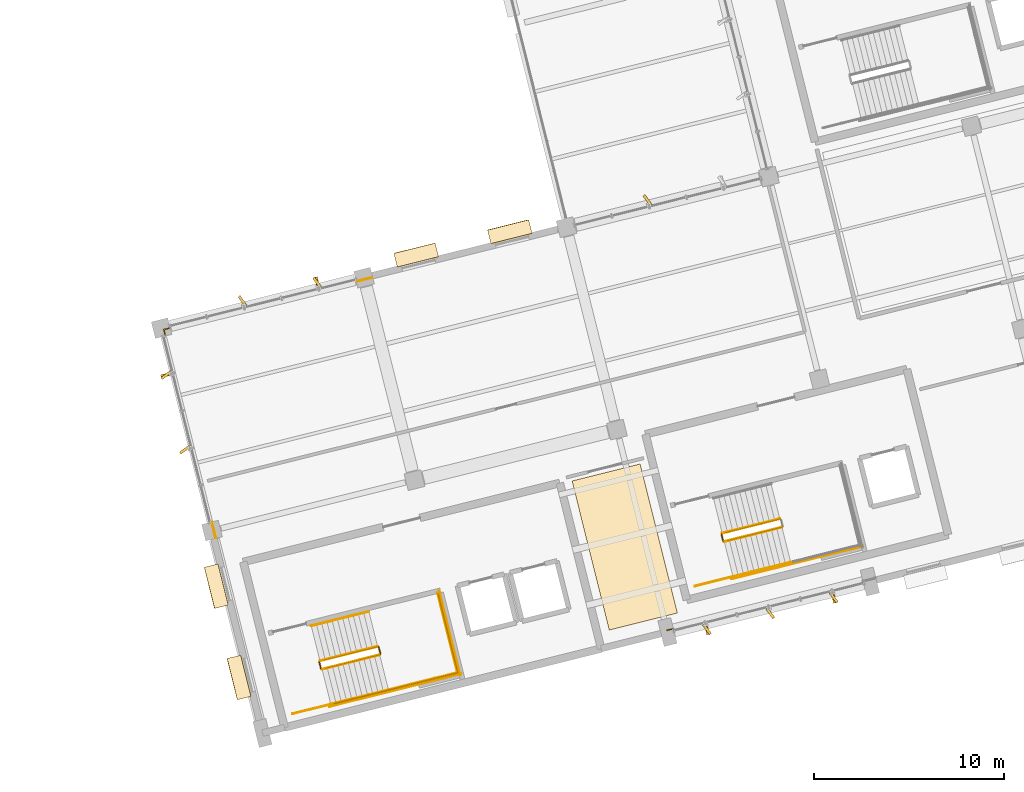
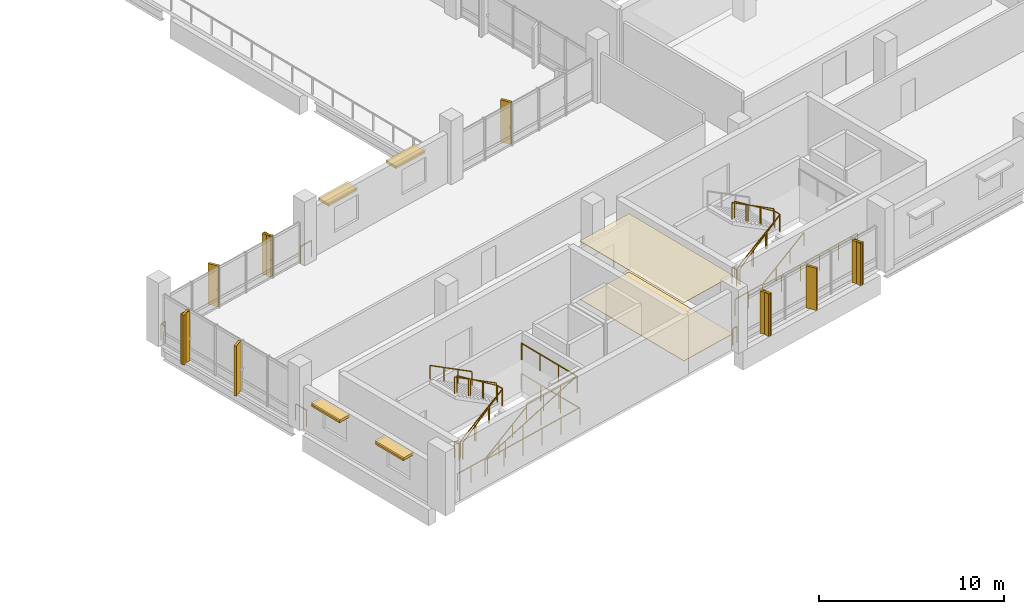
# One storey, part 39 of 42: 24 railings, 12 shading devices, 10 coverings.
"""IFC4 building model written with IfcOpenShell, lengths in metres."""

from ifc_helpers import new_model, si_unit, direction, frame, origin, origin_2d, place, context, subcontext, project, spatial, polyline, rectangle, outline, extrude, material, layer, layer_set, type_object, element, save


model = new_model("IFC4")

# Units and contexts
model_context = context("Model", 3, precision=1e-05, world=origin(), true_north=direction((0.0, 1.0)))
body_context = subcontext(model_context, "Body", "Model", "MODEL_VIEW")
ifc_project = project(units=[si_unit("LENGTHUNIT", "METRE"), si_unit("AREAUNIT", "SQUARE_METRE"), si_unit("VOLUMEUNIT", "CUBIC_METRE"), si_unit("PLANEANGLEUNIT", "RADIAN"), si_unit("MASSUNIT", "GRAM", prefix="KILO")], contexts=[model_context])

# Site, building, storey
site_placement = place(None, origin())
site = spatial("IfcSite", under=ifc_project, at=site_placement, CompositionType="ELEMENT")
building_placement = place(site_placement, origin())
building = spatial("IfcBuilding", under=site, at=building_placement, Name="Khorjan Park Terminus", CompositionType="ELEMENT")
storey_placement = place(building_placement, frame((0.0, 0.0, 20.4)))
storey = spatial("IfcBuildingStorey", under=building, at=storey_placement, Name="L04", CompositionType="ELEMENT", Elevation=20.4)

# Coverings
ifc_material_1 = material(Name="Perforated Acoustic Aluminium Baffle Ceiling", Category="aluminium")
ifc_layer_1 = layer(ifc_material_1, 0.03)
ifc_layer_set_1 = layer_set([ifc_layer_1], Name="Perforated Acoustic Aluminium Baffle Ceiling")
covering_type_1 = type_object("IfcCoveringType", Name="CV-CLG-ACS", PredefinedType="CEILING", material=ifc_layer_set_1)
covering_1_placement = place(storey_placement, frame((0.0, 0.0, 3.845)))
element("IfcCovering", 1, at=covering_1_placement, inside=storey, type_object=covering_type_1, Name="Flush acoustic baffle ceiling AC-60 (L04-BRK)", PredefinedType="CEILING", context=body_context, shape_type="SweptSolid", body=[
    extrude(outline(polyline([(198.5418, 10.9896), (194.9518, 10.0945), (192.9922, 17.9539), (196.5823, 18.849), (198.5418, 10.9896)])), origin(), (0.0, 0.0, 1.0), 0.03),
])
ifc_material_2 = material(Name="Pigmented Precast GRC", Category="concrete")
ifc_layer_2 = layer(ifc_material_2, 0.16)
ifc_layer_set_2 = layer_set([ifc_layer_2], Name="Pigmented Precast GRC")
covering_type_2 = type_object("IfcCoveringType", Name="CV-FIN-GRC", PredefinedType="CLADDING", material=ifc_layer_set_2)
for number, where, z_axis, x_axis, name in (
    (2, (200.0981, 10.1357, -0.02), (0.0, 0.0, 1.0), (-0.2419218956, 0.970295726276, 0.0), "Projecting desert-sandstone GRC facade fin CL-FN1 (CW-V5-S-L04-B03-1)"),
    (3, (206.7867, 11.8034, -0.02), (0.0, 0.0, 1.0), (-0.2419218956, 0.970295726276, 0.0), "Projecting desert-sandstone GRC facade fin CL-FN1 (CW-V5-S-L04-B03-5)"),
):
    element("IfcCovering", number, at=place(storey_placement, frame(where, z_axis=z_axis, x_axis=x_axis)), inside=storey, type_object=covering_type_2, Name=name, PredefinedType="CLADDING", context=body_context, shape_type="SweptSolid", body=[
        extrude(rectangle(XDim=0.58, YDim=0.16, at=origin_2d()), origin(), (0.0, 0.0, 1.0), 2.785),
    ])
covering_2_placement = place(storey_placement, frame((179.5532, 28.4186, -0.02), z_axis=(0.0, 0.0, 1.0), x_axis=(0.2419218956, -0.970295726276, 0.0)))
element("IfcCovering", 4, at=covering_2_placement, inside=storey, type_object=covering_type_2, Name="Projecting desert-sandstone GRC facade fin CL-FN1 (CW-V5-NW2-L04-B03-1)", PredefinedType="CLADDING", context=body_context, shape_type="SweptSolid", body=[
    extrude(rectangle(XDim=0.58, YDim=0.16, at=origin_2d()), origin(), (0.0, 0.0, 1.0), 2.69),
])
covering_3_placement = place(storey_placement, frame((171.6011, 23.5369, -0.02), z_axis=(0.0, 0.0, 1.0), x_axis=(0.970295726276, 0.2419218956, 0.0)))
element("IfcCovering", 5, at=covering_3_placement, inside=storey, type_object=covering_type_2, Name="Projecting desert-sandstone GRC facade fin CL-FN1 (CW-V5-W-L04-B01-1)", PredefinedType="CLADDING", context=body_context, shape_type="SweptSolid", body=[
    extrude(rectangle(XDim=0.58, YDim=0.16, at=origin_2d()), origin(), (0.0, 0.0, 1.0), 3.295),
])
ifc_material_3 = material(Name="Polished Desert Limestone Terrazzo", Category="masonry")
ifc_layer_3 = layer(ifc_material_3, 0.035)
ifc_layer_set_3 = layer_set([ifc_layer_3], Name="Polished Desert Limestone Terrazzo")
covering_type_3 = type_object("IfcCoveringType", Name="CV-FLR-TRZ", PredefinedType="FLOORING", material=ifc_layer_set_3)
covering_4_placement = place(storey_placement, origin())
element("IfcCovering", 6, at=covering_4_placement, inside=storey, type_object=covering_type_3, Name="Architectural floor finish FF-TRZ (L04-BRK)", PredefinedType="FLOORING", context=body_context, shape_type="SweptSolid", body=[
    extrude(outline(polyline([(198.5418, 10.9896), (194.9518, 10.0945), (192.9922, 17.9539), (196.5823, 18.849), (198.5418, 10.9896)])), origin(), (0.0, 0.0, 1.0), 0.035),
])
ifc_layer_4 = layer(ifc_material_2, 0.18)
ifc_layer_set_4 = layer_set([ifc_layer_4], Name="Pigmented Precast GRC")
covering_type_4 = type_object("IfcCoveringType", Name="CV-HOOD-GRC", PredefinedType="CLADDING", material=ifc_layer_set_4)
for number, where, z_axis, x_axis, name in (
    (7, (189.709, 31.0898, 2.58), (0.0, 0.0, 1.0), (-0.970297894388, -0.24191319961, 0.0), "Projecting desert-sandstone GRC window eyebrow CL-HD1 (EW-V5-NW2-L04-B02-1)"),
    (8, (184.7751, 29.8597, 2.58), (0.0, 0.0, 1.0), (-0.970297894388, -0.24191319961, 0.0), "Projecting desert-sandstone GRC window eyebrow CL-HD1 (EW-V5-NW2-L04-B02-2)"),
    (9, (174.2371, 12.4066, 2.58), (0.0, 0.0, 1.0), (0.241921235022, -0.970295890976, 0.0), "Projecting desert-sandstone GRC window eyebrow CL-HD1 (EW-V5-W-L04-B02-1)"),
    (10, (175.437, 7.5941, 2.58), (0.0, 0.0, 1.0), (0.241921235022, -0.970295890976, 0.0), "Projecting desert-sandstone GRC window eyebrow CL-HD1 (EW-V5-W-L04-B02-2)"),
):
    element("IfcCovering", number, at=place(storey_placement, frame(where, z_axis=z_axis, x_axis=x_axis)), inside=storey, type_object=covering_type_4, Name=name, PredefinedType="CLADDING", context=body_context, shape_type="SweptSolid", body=[
        extrude(rectangle(XDim=2.24, YDim=0.74, at=origin_2d()), origin(), (0.0, 0.0, 1.0), 0.16),
    ])

# Railings
ifc_material_4 = material(Name="Steel S355", Category="steel")
railing_type_1 = type_object("IfcRailingType", Name="GR-112", PredefinedType="GUARDRAIL", material=ifc_material_4)
railing_1_placement = place(storey_placement, frame((179.8138, 8.0206, 0.175)))
element("IfcRailing", 11, at=railing_1_placement, inside=storey, type_object=railing_type_1, Name="L04 ST-03 stair guard 1", PredefinedType="GUARDRAIL", context=body_context, shape_type="SweptSolid", body=[
    extrude(rectangle(XDim=0.048, YDim=0.048, at=origin_2d()), frame((0.0, 0.0, 1.096), z_axis=(0.826848000136, 0.206181934415, 0.523269906063), x_axis=(-0.241950149517, 0.970288681346, 0.0)), (0.0, 0.0, 1.0), 3.6788),
    extrude(rectangle(XDim=0.042, YDim=0.042, at=origin_2d()), origin(), (0.0, 0.0, 1.0), 1.072),
    extrude(rectangle(XDim=0.042, YDim=0.042, at=origin_2d()), frame((1.0139, 0.2528, 0.6417)), (0.0, 0.0, 1.0), 1.072),
    extrude(rectangle(XDim=0.042, YDim=0.042, at=origin_2d()), frame((2.0279, 0.5057, 1.2833)), (0.0, 0.0, 1.0), 1.072),
    extrude(rectangle(XDim=0.042, YDim=0.042, at=origin_2d()), frame((3.0418, 0.7585, 1.925)), (0.0, 0.0, 1.0), 1.072),
])
railing_2_placement = place(storey_placement, frame((182.8921, 8.8397, 2.1)))
element("IfcRailing", 12, at=railing_2_placement, inside=storey, type_object=railing_type_1, Name="L04 ST-03 stair guard 2", PredefinedType="GUARDRAIL", context=body_context, shape_type="SweptSolid", body=[
    extrude(rectangle(XDim=0.048, YDim=0.048, at=origin_2d()), frame((0.0, 0.0, 1.096), z_axis=(-0.241947338122, 0.970289382388, 0.0), x_axis=(-0.970289382388, -0.241947338122, 0.0)), (0.0, 0.0, 1.0), 0.36),
    extrude(rectangle(XDim=0.042, YDim=0.042, at=origin_2d()), origin(), (0.0, 0.0, 1.0), 1.072),
    extrude(rectangle(XDim=0.042, YDim=0.042, at=origin_2d()), frame((-0.0871, 0.3493, 0.0)), (0.0, 0.0, 1.0), 1.072),
])
railing_3_placement = place(storey_placement, frame((183.3153, 6.9355, 2.1)))
element("IfcRailing", 13, at=railing_3_placement, inside=storey, type_object=railing_type_1, Name="L04 ST-03 stair guard 3", PredefinedType="GUARDRAIL", context=body_context, shape_type="SweptSolid", body=[
    extrude(rectangle(XDim=0.048, YDim=0.048, at=origin_2d()), frame((0.0, 0.0, 1.096), z_axis=(0.970296897562, 0.241917197781, 0.0), x_axis=(-0.241917197781, 0.970296897562, 0.0)), (0.0, 0.0, 1.0), 3.805),
    extrude(rectangle(XDim=0.042, YDim=0.042, at=origin_2d()), origin(), (0.0, 0.0, 1.0), 1.072),
    extrude(rectangle(XDim=0.042, YDim=0.042, at=origin_2d()), frame((1.2307, 0.3068, 0.0)), (0.0, 0.0, 1.0), 1.072),
    extrude(rectangle(XDim=0.042, YDim=0.042, at=origin_2d()), frame((2.4613, 0.6137, 0.0)), (0.0, 0.0, 1.0), 1.072),
    extrude(rectangle(XDim=0.042, YDim=0.042, at=origin_2d()), frame((3.692, 0.9205, 0.0)), (0.0, 0.0, 1.0), 1.072),
])
railing_4_placement = place(storey_placement, frame((186.9708, 7.7954, 2.1)))
element("IfcRailing", 14, at=railing_4_placement, inside=storey, type_object=railing_type_1, Name="L04 ST-03 stair guard 4", PredefinedType="GUARDRAIL", context=body_context, shape_type="SweptSolid", body=[
    extrude(rectangle(XDim=0.048, YDim=0.048, at=origin_2d()), frame((0.0, 0.0, 1.096), z_axis=(-0.241904163851, 0.970300147125, 0.0), x_axis=(-0.970300147125, -0.241904163851, 0.0)), (0.0, 0.0, 1.0), 4.36),
    extrude(rectangle(XDim=0.042, YDim=0.042, at=origin_2d()), origin(), (0.0, 0.0, 1.0), 1.072),
    extrude(rectangle(XDim=0.042, YDim=0.042, at=origin_2d()), frame((-0.3516, 1.4102, 0.0)), (0.0, 0.0, 1.0), 1.072),
    extrude(rectangle(XDim=0.042, YDim=0.042, at=origin_2d()), frame((-0.7031, 2.8203, 0.0)), (0.0, 0.0, 1.0), 1.072),
    extrude(rectangle(XDim=0.042, YDim=0.042, at=origin_2d()), frame((-1.0547, 4.2305, 0.0)), (0.0, 0.0, 1.0), 1.072),
])
railing_5_placement = place(storey_placement, frame((182.7444, 9.2254, 2.275)))
element("IfcRailing", 15, at=railing_5_placement, inside=storey, type_object=railing_type_1, Name="L04 ST-03 stair guard 5", PredefinedType="GUARDRAIL", context=body_context, shape_type="SweptSolid", body=[
    extrude(rectangle(XDim=0.048, YDim=0.048, at=origin_2d()), frame((0.0, 0.0, 1.096), z_axis=(-0.826861232128, -0.206151273364, 0.523261077565), x_axis=(0.241912630498, -0.970298036278, 0.0)), (0.0, 0.0, 1.0), 3.6789),
    extrude(rectangle(XDim=0.042, YDim=0.042, at=origin_2d()), origin(), (0.0, 0.0, 1.0), 1.072),
    extrude(rectangle(XDim=0.042, YDim=0.042, at=origin_2d()), frame((-1.014, -0.2528, 0.6417)), (0.0, 0.0, 1.0), 1.072),
    extrude(rectangle(XDim=0.042, YDim=0.042, at=origin_2d()), frame((-2.0279, -0.5056, 1.2833)), (0.0, 0.0, 1.0), 1.072),
    extrude(rectangle(XDim=0.042, YDim=0.042, at=origin_2d()), frame((-3.0419, -0.7584, 1.925)), (0.0, 0.0, 1.0), 1.072),
])
railing_6_placement = place(storey_placement, frame((179.7532, 8.0571, 0.0)))
element("IfcRailing", 16, at=railing_6_placement, inside=storey, type_object=railing_type_1, Name="L04 ST-03 stair guard 6", PredefinedType="GUARDRAIL", context=body_context, shape_type="SweptSolid", body=[
    extrude(rectangle(XDim=0.048, YDim=0.048, at=origin_2d()), frame((0.0, 0.0, 1.096), z_axis=(-0.241947338122, 0.970289382388, 0.0), x_axis=(-0.970289382388, -0.241947338122, 0.0)), (0.0, 0.0, 1.0), 0.36),
    extrude(rectangle(XDim=0.042, YDim=0.042, at=origin_2d()), origin(), (0.0, 0.0, 1.0), 1.072),
    extrude(rectangle(XDim=0.042, YDim=0.042, at=origin_2d()), frame((-0.0871, 0.3493, 0.0)), (0.0, 0.0, 1.0), 1.072),
])
railing_7_placement = place(storey_placement, frame((178.2746, 5.6787, 0.0)))
element("IfcRailing", 17, at=railing_7_placement, inside=storey, type_object=railing_type_1, Name="L04 ST-03 stair guard 7", PredefinedType="GUARDRAIL", context=body_context, shape_type="SweptSolid", body=[
    extrude(rectangle(XDim=0.048, YDim=0.048, at=origin_2d()), frame((0.0, 0.0, 1.096), z_axis=(0.97029080484, 0.241941633546, 0.0), x_axis=(-0.241941633546, 0.97029080484, 0.0)), (0.0, 0.0, 1.0), 2.06),
    extrude(rectangle(XDim=0.042, YDim=0.042, at=origin_2d()), origin(), (0.0, 0.0, 1.0), 1.072),
    extrude(rectangle(XDim=0.042, YDim=0.042, at=origin_2d()), frame((0.9994, 0.2492, 0.0)), (0.0, 0.0, 1.0), 1.072),
    extrude(rectangle(XDim=0.042, YDim=0.042, at=origin_2d()), frame((1.9988, 0.4984, 0.0)), (0.0, 0.0, 1.0), 1.072),
])
railing_8_placement = place(storey_placement, frame((180.2006, 6.0559, 0.0)))
element("IfcRailing", 18, at=railing_8_placement, inside=storey, type_object=railing_type_1, Name="L04 ST-03 stair guard 8", PredefinedType="GUARDRAIL", context=body_context, shape_type="SweptSolid", body=[
    extrude(rectangle(XDim=0.048, YDim=0.048, at=origin_2d()), frame((0.0, 0.0, 1.096), z_axis=(0.970296366402, 0.241919328178, 0.0), x_axis=(-0.241919328178, 0.970296366402, 0.0)), (0.0, 0.0, 1.0), 7.14),
    extrude(rectangle(XDim=0.042, YDim=0.042, at=origin_2d()), origin(), (0.0, 0.0, 1.0), 1.072),
    extrude(rectangle(XDim=0.042, YDim=0.042, at=origin_2d()), frame((1.3856, 0.3455, 0.0)), (0.0, 0.0, 1.0), 1.072),
    extrude(rectangle(XDim=0.042, YDim=0.042, at=origin_2d()), frame((2.7712, 0.6909, 0.0)), (0.0, 0.0, 1.0), 1.072),
    extrude(rectangle(XDim=0.042, YDim=0.042, at=origin_2d()), frame((4.1567, 1.0364, 0.0)), (0.0, 0.0, 1.0), 1.072),
    extrude(rectangle(XDim=0.042, YDim=0.042, at=origin_2d()), frame((5.5423, 1.3818, 0.0)), (0.0, 0.0, 1.0), 1.072),
    extrude(rectangle(XDim=0.042, YDim=0.042, at=origin_2d()), frame((6.9279, 1.7273, 0.0)), (0.0, 0.0, 1.0), 1.072),
])
railing_9_placement = place(storey_placement, frame((187.0921, 7.7226, 0.0)))
element("IfcRailing", 19, at=railing_9_placement, inside=storey, type_object=railing_type_1, Name="L04 ST-03 stair guard 9", PredefinedType="GUARDRAIL", context=body_context, shape_type="SweptSolid", body=[
    extrude(rectangle(XDim=0.048, YDim=0.048, at=origin_2d()), frame((0.0, 0.0, 1.096), z_axis=(-0.24193185783, 0.970293242359, 0.0), x_axis=(-0.970293242359, -0.24193185783, 0.0)), (0.0, 0.0, 1.0), 4.56),
    extrude(rectangle(XDim=0.042, YDim=0.042, at=origin_2d()), origin(), (0.0, 0.0, 1.0), 1.072),
    extrude(rectangle(XDim=0.042, YDim=0.042, at=origin_2d()), frame((-0.3677, 1.4748, 0.0)), (0.0, 0.0, 1.0), 1.072),
    extrude(rectangle(XDim=0.042, YDim=0.042, at=origin_2d()), frame((-0.7355, 2.9497, 0.0)), (0.0, 0.0, 1.0), 1.072),
    extrude(rectangle(XDim=0.042, YDim=0.042, at=origin_2d()), frame((-1.1032, 4.4245, 0.0)), (0.0, 0.0, 1.0), 1.072),
])
railing_10_placement = place(storey_placement, frame((179.986, 8.0739, 0.0)))
element("IfcRailing", 20, at=railing_10_placement, inside=storey, type_object=railing_type_1, Name="Core K3 stair well slot guard GR-112 (L04)", PredefinedType="GUARDRAIL", context=body_context, shape_type="SweptSolid", body=[
    extrude(rectangle(XDim=0.048, YDim=0.048, at=origin_2d()), frame((0.0, 0.0, 1.096), z_axis=(0.79445963012, 0.198068135589, 0.57411053794), x_axis=(-0.241907065545, 0.970299423704, 0.0)), (0.0, 0.0, 1.0), 3.6578),
    extrude(rectangle(XDim=0.048, YDim=0.048, at=origin_2d()), frame((2.906, 0.7245, 3.196), z_axis=(-0.241786986316, 0.970329352977, 0.0), x_axis=(-0.970329352977, -0.241786986316, 0.0)), (0.0, 0.0, 1.0), 0.4401),
    extrude(rectangle(XDim=0.048, YDim=0.048, at=origin_2d()), frame((2.7996, 1.1515, 3.196), z_axis=(-0.79446541114, -0.198090099072, 0.574094960047), x_axis=(0.241930662851, -0.970293540313, 0.0)), (0.0, 0.0, 1.0), 3.6579),
    extrude(rectangle(XDim=0.042, YDim=0.042, at=origin_2d()), origin(), (0.0, 0.0, 1.0), 1.072),
    extrude(rectangle(XDim=0.042, YDim=0.042, at=origin_2d()), frame((0.9687, 0.2415, 0.7)), (0.0, 0.0, 1.0), 1.072),
    extrude(rectangle(XDim=0.042, YDim=0.042, at=origin_2d()), frame((1.9373, 0.483, 1.4)), (0.0, 0.0, 1.0), 1.072),
    extrude(rectangle(XDim=0.042, YDim=0.042, at=origin_2d()), frame((2.906, 0.7245, 2.1)), (0.0, 0.0, 1.0), 1.072),
    extrude(rectangle(XDim=0.042, YDim=0.042, at=origin_2d()), frame((2.7996, 1.1515, 2.1)), (0.0, 0.0, 1.0), 1.072),
    extrude(rectangle(XDim=0.042, YDim=0.042, at=origin_2d()), frame((1.8309, 0.91, 2.8)), (0.0, 0.0, 1.0), 1.072),
    extrude(rectangle(XDim=0.042, YDim=0.042, at=origin_2d()), frame((0.8622, 0.6684, 3.5)), (0.0, 0.0, 1.0), 1.072),
    extrude(rectangle(XDim=0.042, YDim=0.042, at=origin_2d()), frame((-0.1065, 0.4269, 4.2)), (0.0, 0.0, 1.0), 1.072),
])
railing_11_placement = place(storey_placement, frame((180.4505, 6.2109, 0.0)))
element("IfcRailing", 21, at=railing_11_placement, inside=storey, type_object=railing_type_1, Name="Core K3 stair side & landing guard GR-112 (L04)", PredefinedType="GUARDRAIL", context=body_context, shape_type="SweptSolid", body=[
    extrude(rectangle(XDim=0.048, YDim=0.048, at=origin_2d()), frame((0.0, 0.0, 1.096), z_axis=(0.926128560381, 0.230907183702, 0.298274642169), x_axis=(-0.241919330403, 0.970296365848, 0.0)), (0.0, 0.0, 1.0), 7.0405),
    extrude(rectangle(XDim=0.048, YDim=0.048, at=origin_2d()), frame((6.5204, 1.6257, 3.196), z_axis=(-0.2419363556, 0.970292120879, 0.0), x_axis=(-0.970292120879, -0.2419363556, 0.0)), (0.0, 0.0, 1.0), 4.2801),
    extrude(rectangle(XDim=0.042, YDim=0.042, at=origin_2d()), origin(), (0.0, 0.0, 1.0), 1.072),
    extrude(rectangle(XDim=0.042, YDim=0.042, at=origin_2d()), frame((1.3041, 0.3251, 0.42)), (0.0, 0.0, 1.0), 1.072),
    extrude(rectangle(XDim=0.042, YDim=0.042, at=origin_2d()), frame((2.6082, 0.6503, 0.84)), (0.0, 0.0, 1.0), 1.072),
    extrude(rectangle(XDim=0.042, YDim=0.042, at=origin_2d()), frame((3.9122, 0.9754, 1.26)), (0.0, 0.0, 1.0), 1.072),
    extrude(rectangle(XDim=0.042, YDim=0.042, at=origin_2d()), frame((5.2163, 1.3006, 1.68)), (0.0, 0.0, 1.0), 1.072),
    extrude(rectangle(XDim=0.042, YDim=0.042, at=origin_2d()), frame((6.5204, 1.6257, 2.1)), (0.0, 0.0, 1.0), 1.072),
    extrude(rectangle(XDim=0.042, YDim=0.042, at=origin_2d()), frame((6.1752, 3.01, 2.1)), (0.0, 0.0, 1.0), 1.072),
    extrude(rectangle(XDim=0.042, YDim=0.042, at=origin_2d()), frame((5.8301, 4.3943, 2.1)), (0.0, 0.0, 1.0), 1.072),
    extrude(rectangle(XDim=0.042, YDim=0.042, at=origin_2d()), frame((5.4849, 5.7786, 2.1)), (0.0, 0.0, 1.0), 1.072),
])
railing_12_placement = place(storey_placement, frame((201.0157, 14.7497, 0.175)))
element("IfcRailing", 22, at=railing_12_placement, inside=storey, type_object=railing_type_1, Name="L04 ST-05 stair guard 1", PredefinedType="GUARDRAIL", context=body_context, shape_type="SweptSolid", body=[
    extrude(rectangle(XDim=0.048, YDim=0.048, at=origin_2d()), frame((0.0, 0.0, 1.096), z_axis=(0.826848000136, 0.206181934415, 0.523269906063), x_axis=(-0.241950149517, 0.970288681346, 0.0)), (0.0, 0.0, 1.0), 3.6788),
    extrude(rectangle(XDim=0.042, YDim=0.042, at=origin_2d()), origin(), (0.0, 0.0, 1.0), 1.072),
    extrude(rectangle(XDim=0.042, YDim=0.042, at=origin_2d()), frame((1.0139, 0.2528, 0.6417)), (0.0, 0.0, 1.0), 1.072),
    extrude(rectangle(XDim=0.042, YDim=0.042, at=origin_2d()), frame((2.0279, 0.5057, 1.2833)), (0.0, 0.0, 1.0), 1.072),
    extrude(rectangle(XDim=0.042, YDim=0.042, at=origin_2d()), frame((3.0418, 0.7585, 1.925)), (0.0, 0.0, 1.0), 1.072),
])
railing_13_placement = place(storey_placement, frame((203.9463, 15.9545, 2.275)))
element("IfcRailing", 23, at=railing_13_placement, inside=storey, type_object=railing_type_1, Name="L04 ST-05 stair guard 5", PredefinedType="GUARDRAIL", context=body_context, shape_type="SweptSolid", body=[
    extrude(rectangle(XDim=0.048, YDim=0.048, at=origin_2d()), frame((0.0, 0.0, 1.096), z_axis=(-0.826861232128, -0.206151273364, 0.523261077565), x_axis=(0.241912630498, -0.970298036278, 0.0)), (0.0, 0.0, 1.0), 3.6789),
    extrude(rectangle(XDim=0.042, YDim=0.042, at=origin_2d()), origin(), (0.0, 0.0, 1.0), 1.072),
    extrude(rectangle(XDim=0.042, YDim=0.042, at=origin_2d()), frame((-1.014, -0.2528, 0.6417)), (0.0, 0.0, 1.0), 1.072),
    extrude(rectangle(XDim=0.042, YDim=0.042, at=origin_2d()), frame((-2.0279, -0.5056, 1.2833)), (0.0, 0.0, 1.0), 1.072),
    extrude(rectangle(XDim=0.042, YDim=0.042, at=origin_2d()), frame((-3.0419, -0.7584, 1.925)), (0.0, 0.0, 1.0), 1.072),
])
railing_14_placement = place(storey_placement, frame((200.9551, 14.7862, 0.0)))
element("IfcRailing", 24, at=railing_14_placement, inside=storey, type_object=railing_type_1, Name="L04 ST-05 stair guard 6", PredefinedType="GUARDRAIL", context=body_context, shape_type="SweptSolid", body=[
    extrude(rectangle(XDim=0.048, YDim=0.048, at=origin_2d()), frame((0.0, 0.0, 1.096), z_axis=(-0.241947338122, 0.970289382388, 0.0), x_axis=(-0.970289382388, -0.241947338122, 0.0)), (0.0, 0.0, 1.0), 0.36),
    extrude(rectangle(XDim=0.042, YDim=0.042, at=origin_2d()), origin(), (0.0, 0.0, 1.0), 1.072),
    extrude(rectangle(XDim=0.042, YDim=0.042, at=origin_2d()), frame((-0.0871, 0.3493, 0.0)), (0.0, 0.0, 1.0), 1.072),
])
railing_15_placement = place(storey_placement, frame((199.4765, 12.4078, 0.0)))
element("IfcRailing", 25, at=railing_15_placement, inside=storey, type_object=railing_type_1, Name="L04 ST-05 stair guard 7", PredefinedType="GUARDRAIL", context=body_context, shape_type="SweptSolid", body=[
    extrude(rectangle(XDim=0.048, YDim=0.048, at=origin_2d()), frame((0.0, 0.0, 1.096), z_axis=(0.97029080484, 0.241941633546, 0.0), x_axis=(-0.241941633546, 0.97029080484, 0.0)), (0.0, 0.0, 1.0), 2.06),
    extrude(rectangle(XDim=0.042, YDim=0.042, at=origin_2d()), origin(), (0.0, 0.0, 1.0), 1.072),
    extrude(rectangle(XDim=0.042, YDim=0.042, at=origin_2d()), frame((0.9994, 0.2492, 0.0)), (0.0, 0.0, 1.0), 1.072),
    extrude(rectangle(XDim=0.042, YDim=0.042, at=origin_2d()), frame((1.9988, 0.4984, 0.0)), (0.0, 0.0, 1.0), 1.072),
])
railing_16_placement = place(storey_placement, frame((201.4025, 12.785, 0.0)))
element("IfcRailing", 26, at=railing_16_placement, inside=storey, type_object=railing_type_1, Name="L04 ST-05 stair guard 8", PredefinedType="GUARDRAIL", context=body_context, shape_type="SweptSolid", body=[
    extrude(rectangle(XDim=0.048, YDim=0.048, at=origin_2d()), frame((0.0, 0.0, 1.096), z_axis=(0.970296366402, 0.241919328178, 0.0), x_axis=(-0.241919328178, 0.970296366402, 0.0)), (0.0, 0.0, 1.0), 7.14),
    extrude(rectangle(XDim=0.042, YDim=0.042, at=origin_2d()), origin(), (0.0, 0.0, 1.0), 1.072),
    extrude(rectangle(XDim=0.042, YDim=0.042, at=origin_2d()), frame((1.3856, 0.3455, 0.0)), (0.0, 0.0, 1.0), 1.072),
    extrude(rectangle(XDim=0.042, YDim=0.042, at=origin_2d()), frame((2.7712, 0.6909, 0.0)), (0.0, 0.0, 1.0), 1.072),
    extrude(rectangle(XDim=0.042, YDim=0.042, at=origin_2d()), frame((4.1567, 1.0364, 0.0)), (0.0, 0.0, 1.0), 1.072),
    extrude(rectangle(XDim=0.042, YDim=0.042, at=origin_2d()), frame((5.5423, 1.3818, 0.0)), (0.0, 0.0, 1.0), 1.072),
    extrude(rectangle(XDim=0.042, YDim=0.042, at=origin_2d()), frame((6.9279, 1.7273, 0.0)), (0.0, 0.0, 1.0), 1.072),
])
railing_17_placement = place(storey_placement, frame((201.1879, 14.803, 0.0)))
element("IfcRailing", 27, at=railing_17_placement, inside=storey, type_object=railing_type_1, Name="Core K5 stair well slot guard GR-112 (L04)", PredefinedType="GUARDRAIL", context=body_context, shape_type="SweptSolid", body=[
    extrude(rectangle(XDim=0.048, YDim=0.048, at=origin_2d()), frame((0.0, 0.0, 1.096), z_axis=(0.79445963012, 0.198068135589, 0.57411053794), x_axis=(-0.241907065545, 0.970299423704, 0.0)), (0.0, 0.0, 1.0), 3.6578),
    extrude(rectangle(XDim=0.048, YDim=0.048, at=origin_2d()), frame((2.906, 0.7245, 3.196), z_axis=(-0.241786986315, 0.970329352977, 0.0), x_axis=(-0.970329352977, -0.241786986315, 0.0)), (0.0, 0.0, 1.0), 0.4401),
    extrude(rectangle(XDim=0.048, YDim=0.048, at=origin_2d()), frame((2.7996, 1.1515, 3.196), z_axis=(-0.79446541114, -0.198090099072, 0.574094960047), x_axis=(0.241930662851, -0.970293540313, 0.0)), (0.0, 0.0, 1.0), 3.6579),
    extrude(rectangle(XDim=0.042, YDim=0.042, at=origin_2d()), origin(), (0.0, 0.0, 1.0), 1.072),
    extrude(rectangle(XDim=0.042, YDim=0.042, at=origin_2d()), frame((0.9687, 0.2415, 0.7)), (0.0, 0.0, 1.0), 1.072),
    extrude(rectangle(XDim=0.042, YDim=0.042, at=origin_2d()), frame((1.9373, 0.483, 1.4)), (0.0, 0.0, 1.0), 1.072),
    extrude(rectangle(XDim=0.042, YDim=0.042, at=origin_2d()), frame((2.906, 0.7245, 2.1)), (0.0, 0.0, 1.0), 1.072),
    extrude(rectangle(XDim=0.042, YDim=0.042, at=origin_2d()), frame((2.7996, 1.1515, 2.1)), (0.0, 0.0, 1.0), 1.072),
    extrude(rectangle(XDim=0.042, YDim=0.042, at=origin_2d()), frame((1.8309, 0.91, 2.8)), (0.0, 0.0, 1.0), 1.072),
    extrude(rectangle(XDim=0.042, YDim=0.042, at=origin_2d()), frame((0.8622, 0.6684, 3.5)), (0.0, 0.0, 1.0), 1.072),
    extrude(rectangle(XDim=0.042, YDim=0.042, at=origin_2d()), frame((-0.1065, 0.4269, 4.2)), (0.0, 0.0, 1.0), 1.072),
])
railing_18_placement = place(storey_placement, frame((171.552, 25.6149, 0.0)))
element("IfcRailing", 28, at=railing_18_placement, inside=storey, type_object=railing_type_1, Name="Perimeter safety guard GR-112 (L04-93)", PredefinedType="GUARDRAIL", context=body_context, shape_type="SweptSolid", body=[
    extrude(rectangle(XDim=0.048, YDim=0.048, at=origin_2d()), frame((0.0, 0.0, 1.096), z_axis=(-0.242036034503, 0.97026726112, 0.0), x_axis=(-0.97026726112, -0.242036034503, 0.0)), (0.0, 0.0, 1.0), 0.3297),
    extrude(rectangle(XDim=0.048, YDim=0.048, at=origin_2d()), frame((-0.0798, 0.3199, 1.096), z_axis=(0.970338207601, 0.241751448537, 0.0), x_axis=(-0.241751448537, 0.970338207601, 0.0)), (0.0, 0.0, 1.0), 0.3301),
    extrude(rectangle(XDim=0.042, YDim=0.042, at=origin_2d()), origin(), (0.0, 0.0, 1.0), 1.072),
    extrude(rectangle(XDim=0.042, YDim=0.042, at=origin_2d()), frame((-0.0798, 0.3199, 0.0)), (0.0, 0.0, 1.0), 1.072),
    extrude(rectangle(XDim=0.042, YDim=0.042, at=origin_2d()), frame((0.2405, 0.3997, 0.0)), (0.0, 0.0, 1.0), 1.072),
])
railing_19_placement = place(storey_placement, frame((174.2096, 14.9556, 0.0)))
element("IfcRailing", 29, at=railing_19_placement, inside=storey, type_object=railing_type_1, Name="Perimeter safety guard GR-112 (L04-94)", PredefinedType="GUARDRAIL", context=body_context, shape_type="SweptSolid", body=[
    extrude(rectangle(XDim=0.048, YDim=0.048, at=origin_2d()), frame((0.0, 0.0, 1.096), z_axis=(-0.24189512234, 0.970302401207, 0.0), x_axis=(-0.970302401207, -0.24189512234, 0.0)), (0.0, 0.0, 1.0), 0.845),
    extrude(rectangle(XDim=0.042, YDim=0.042, at=origin_2d()), origin(), (0.0, 0.0, 1.0), 1.072),
    extrude(rectangle(XDim=0.042, YDim=0.042, at=origin_2d()), frame((-0.2044, 0.8199, 0.0)), (0.0, 0.0, 1.0), 1.072),
])
railing_20_placement = place(storey_placement, frame((181.631, 28.4677, 0.0)))
element("IfcRailing", 30, at=railing_20_placement, inside=storey, type_object=railing_type_1, Name="Perimeter safety guard GR-112 (L04-95)", PredefinedType="GUARDRAIL", context=body_context, shape_type="SweptSolid", body=[
    extrude(rectangle(XDim=0.048, YDim=0.048, at=origin_2d()), frame((0.0, 0.0, 1.096), z_axis=(0.970302401207, 0.24189512234, 0.0), x_axis=(-0.24189512234, 0.970302401207, 0.0)), (0.0, 0.0, 1.0), 0.845),
    extrude(rectangle(XDim=0.042, YDim=0.042, at=origin_2d()), origin(), (0.0, 0.0, 1.0), 1.072),
    extrude(rectangle(XDim=0.042, YDim=0.042, at=origin_2d()), frame((0.8199, 0.2044, 0.0)), (0.0, 0.0, 1.0), 1.072),
])
railing_21_placement = place(storey_placement, frame((198.3159, 10.1603, 0.0)))
element("IfcRailing", 31, at=railing_21_placement, inside=storey, type_object=railing_type_1, Name="Perimeter safety guard GR-112 (L04-97)", PredefinedType="GUARDRAIL", context=body_context, shape_type="SweptSolid", body=[
    extrude(rectangle(XDim=0.048, YDim=0.048, at=origin_2d()), frame((0.0, 0.0, 1.096), z_axis=(-0.970267105456, -0.242036658526, 0.0), x_axis=(0.242036658526, -0.970267105456, 0.0)), (0.0, 0.0, 1.0), 0.3301),
    extrude(rectangle(XDim=0.042, YDim=0.042, at=origin_2d()), origin(), (0.0, 0.0, 1.0), 1.072),
    extrude(rectangle(XDim=0.042, YDim=0.042, at=origin_2d()), frame((-0.3203, -0.0799, 0.0)), (0.0, 0.0, 1.0), 1.072),
])
railing_type_2 = type_object("IfcRailingType", Name="HR-92", PredefinedType="HANDRAIL", material=ifc_material_4)
railing_22_placement = place(storey_placement, frame((180.2734, 6.1771, 0.175)))
element("IfcRailing", 32, at=railing_22_placement, inside=storey, type_object=railing_type_2, Name="L04 ST-03 stair handrail 1", PredefinedType="HANDRAIL", context=body_context, shape_type="SweptSolid", body=[
    extrude(rectangle(XDim=0.048, YDim=0.048, at=origin_2d()), frame((0.0, 0.0, 0.896), z_axis=(0.826861232128, 0.206151273364, 0.523261077565), x_axis=(-0.241912630498, 0.970298036278, 0.0)), (0.0, 0.0, 1.0), 3.6789),
    extrude(rectangle(XDim=0.042, YDim=0.042, at=origin_2d()), origin(), (0.0, 0.0, 1.0), 0.872),
    extrude(rectangle(XDim=0.042, YDim=0.042, at=origin_2d()), frame((1.014, 0.2528, 0.6417)), (0.0, 0.0, 1.0), 0.872),
    extrude(rectangle(XDim=0.042, YDim=0.042, at=origin_2d()), frame((2.0279, 0.5056, 1.2833)), (0.0, 0.0, 1.0), 0.872),
    extrude(rectangle(XDim=0.042, YDim=0.042, at=origin_2d()), frame((3.0419, 0.7584, 1.925)), (0.0, 0.0, 1.0), 0.872),
])
railing_23_placement = place(storey_placement, frame((182.2847, 11.069, 2.275)))
element("IfcRailing", 33, at=railing_23_placement, inside=storey, type_object=railing_type_2, Name="L04 ST-03 stair handrail 2", PredefinedType="HANDRAIL", context=body_context, shape_type="SweptSolid", body=[
    extrude(rectangle(XDim=0.048, YDim=0.048, at=origin_2d()), frame((0.0, 0.0, 0.896), z_axis=(-0.826856598391, -0.206177300332, 0.523258145206), x_axis=(0.241942661201, -0.970290548594, 0.0)), (0.0, 0.0, 1.0), 3.6789),
    extrude(rectangle(XDim=0.042, YDim=0.042, at=origin_2d()), origin(), (0.0, 0.0, 1.0), 0.872),
    extrude(rectangle(XDim=0.042, YDim=0.042, at=origin_2d()), frame((-1.014, -0.2528, 0.6417)), (0.0, 0.0, 1.0), 0.872),
    extrude(rectangle(XDim=0.042, YDim=0.042, at=origin_2d()), frame((-2.0279, -0.5057, 1.2833)), (0.0, 0.0, 1.0), 0.872),
    extrude(rectangle(XDim=0.042, YDim=0.042, at=origin_2d()), frame((-3.0419, -0.7585, 1.925)), (0.0, 0.0, 1.0), 0.872),
])
railing_24_placement = place(storey_placement, frame((201.4753, 12.9062, 0.175)))
element("IfcRailing", 34, at=railing_24_placement, inside=storey, type_object=railing_type_2, Name="L04 ST-05 stair handrail 1", PredefinedType="HANDRAIL", context=body_context, shape_type="SweptSolid", body=[
    extrude(rectangle(XDim=0.048, YDim=0.048, at=origin_2d()), frame((0.0, 0.0, 0.896), z_axis=(0.826861232128, 0.206151273364, 0.523261077565), x_axis=(-0.241912630498, 0.970298036278, 0.0)), (0.0, 0.0, 1.0), 3.6789),
    extrude(rectangle(XDim=0.042, YDim=0.042, at=origin_2d()), origin(), (0.0, 0.0, 1.0), 0.872),
    extrude(rectangle(XDim=0.042, YDim=0.042, at=origin_2d()), frame((1.014, 0.2528, 0.6417)), (0.0, 0.0, 1.0), 0.872),
    extrude(rectangle(XDim=0.042, YDim=0.042, at=origin_2d()), frame((2.0279, 0.5056, 1.2833)), (0.0, 0.0, 1.0), 0.872),
    extrude(rectangle(XDim=0.042, YDim=0.042, at=origin_2d()), frame((3.0419, 0.7584, 1.925)), (0.0, 0.0, 1.0), 0.872),
])

# Shading devices
ifc_material_5 = material(Name="Anodized Bronze Aluminium", Category="aluminium")
shading_device_type_1 = type_object("IfcShadingDeviceType", Name="SD-FIN-620", PredefinedType="JALOUSIE", material=ifc_material_5)
for number, where, z_axis, x_axis, name in (
    (35, (200.0981, 10.1357, -0.02), (0.0, 0.0, 1.0), (-0.587785252292, 0.809016994375, 0.0), "Angled solar brise-soleil fin SF-62 (CW-V5-S-L04-B03-1)"),
    (36, (203.4424, 10.9695, -0.02), (0.0, 0.0, 1.0), (-0.587785252292, 0.809016994375, 0.0), "Angled solar brise-soleil fin SF-62 (CW-V5-S-L04-B03-3)"),
    (37, (206.7867, 11.8034, -0.02), (0.0, 0.0, 1.0), (-0.587785252292, 0.809016994375, 0.0), "Angled solar brise-soleil fin SF-62 (CW-V5-S-L04-B03-5)"),
    (38, (196.9642, 32.7596, -0.02), (0.0, 0.0, 1.0), (0.587785252292, -0.809016994375, 0.0), "Angled solar brise-soleil fin SF-62 (CW-V5-NW2-L04-B01-3)"),
):
    element("IfcShadingDevice", number, at=place(storey_placement, frame(where, z_axis=z_axis, x_axis=x_axis)), inside=storey, type_object=shading_device_type_1, Name=name, PredefinedType="JALOUSIE", context=body_context, shape_type="SweptSolid", body=[
        extrude(rectangle(XDim=0.62, YDim=0.14, at=origin_2d()), origin(), (0.0, 0.0, 1.0), 2.785),
    ])
for number, where, z_axis, x_axis, name in (
    (39, (179.5532, 28.4186, -0.02), (0.0, 0.0, 1.0), (0.587785252292, -0.809016994375, 0.0), "Angled solar brise-soleil fin SF-62 (CW-V5-NW2-L04-B03-1)"),
    (40, (175.6178, 27.4374, -0.02), (0.0, 0.0, 1.0), (0.587785252292, -0.809016994375, 0.0), "Angled solar brise-soleil fin SF-62 (CW-V5-NW2-L04-B03-3)"),
):
    element("IfcShadingDevice", number, at=place(storey_placement, frame(where, z_axis=z_axis, x_axis=x_axis)), inside=storey, type_object=shading_device_type_1, Name=name, PredefinedType="JALOUSIE", context=body_context, shape_type="SweptSolid", body=[
        extrude(rectangle(XDim=0.62, YDim=0.14, at=origin_2d()), origin(), (0.0, 0.0, 1.0), 2.69),
    ])
for number, where, z_axis, x_axis, name in (
    (41, (171.6011, 23.5369, -0.02), (0.0, 0.0, 1.0), (0.809016994375, 0.587785252292, 0.0), "Angled solar brise-soleil fin SF-62 (CW-V5-W-L04-B01-1)"),
    (42, (172.5824, 19.6012, -0.02), (0.0, 0.0, 1.0), (0.809016994375, 0.587785252292, 0.0), "Angled solar brise-soleil fin SF-62 (CW-V5-W-L04-B01-3)"),
):
    element("IfcShadingDevice", number, at=place(storey_placement, frame(where, z_axis=z_axis, x_axis=x_axis)), inside=storey, type_object=shading_device_type_1, Name=name, PredefinedType="JALOUSIE", context=body_context, shape_type="SweptSolid", body=[
        extrude(rectangle(XDim=0.62, YDim=0.14, at=origin_2d()), origin(), (0.0, 0.0, 1.0), 3.295),
    ])
shading_device_type_2 = type_object("IfcShadingDeviceType", Name="SD-SUN-750", PredefinedType="SHUTTER", material=ifc_material_5)
for number, where, z_axis, x_axis, name in (
    (43, (189.709, 31.0898, 2.51), (0.0, 0.0, 1.0), (-0.970297894388, -0.24191319961, 0.0), "Projecting solar overhang hood SH-75 (EW-V5-NW2-L04-B02-1)"),
    (44, (184.7751, 29.8597, 2.51), (0.0, 0.0, 1.0), (-0.970297894388, -0.24191319961, 0.0), "Projecting solar overhang hood SH-75 (EW-V5-NW2-L04-B02-2)"),
    (45, (174.2371, 12.4066, 2.51), (0.0, 0.0, 1.0), (0.241921235022, -0.970295890976, 0.0), "Projecting solar overhang hood SH-75 (EW-V5-W-L04-B02-1)"),
    (46, (175.437, 7.5941, 2.51), (0.0, 0.0, 1.0), (0.241921235022, -0.970295890976, 0.0), "Projecting solar overhang hood SH-75 (EW-V5-W-L04-B02-2)"),
):
    element("IfcShadingDevice", number, at=place(storey_placement, frame(where, z_axis=z_axis, x_axis=x_axis)), inside=storey, type_object=shading_device_type_2, Name=name, PredefinedType="SHUTTER", context=body_context, shape_type="SweptSolid", body=[
        extrude(rectangle(XDim=2.16, YDim=0.76, at=origin_2d()), origin(), (0.0, 0.0, 1.0), 0.14),
    ])

save(model, "model.ifc")
